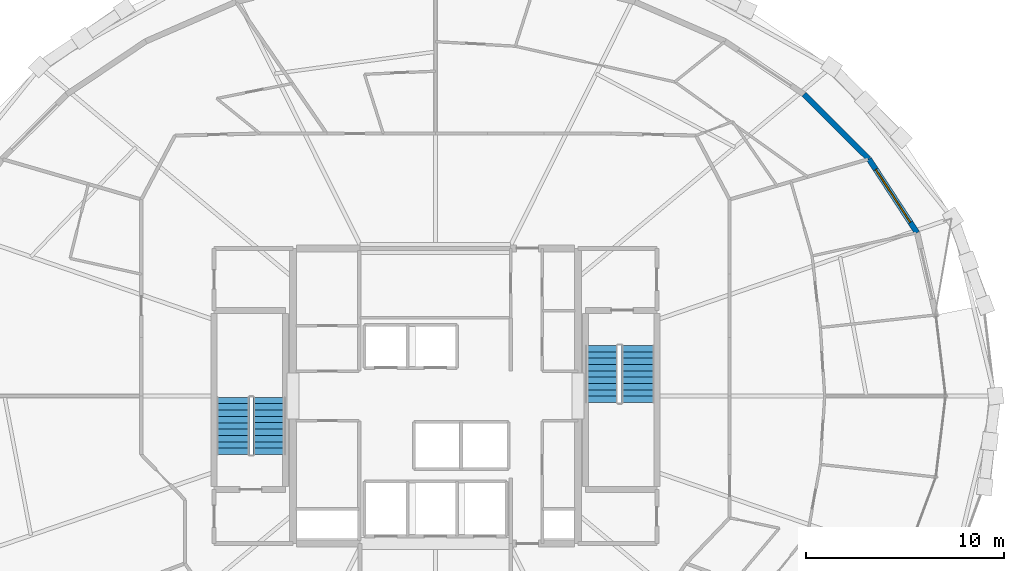
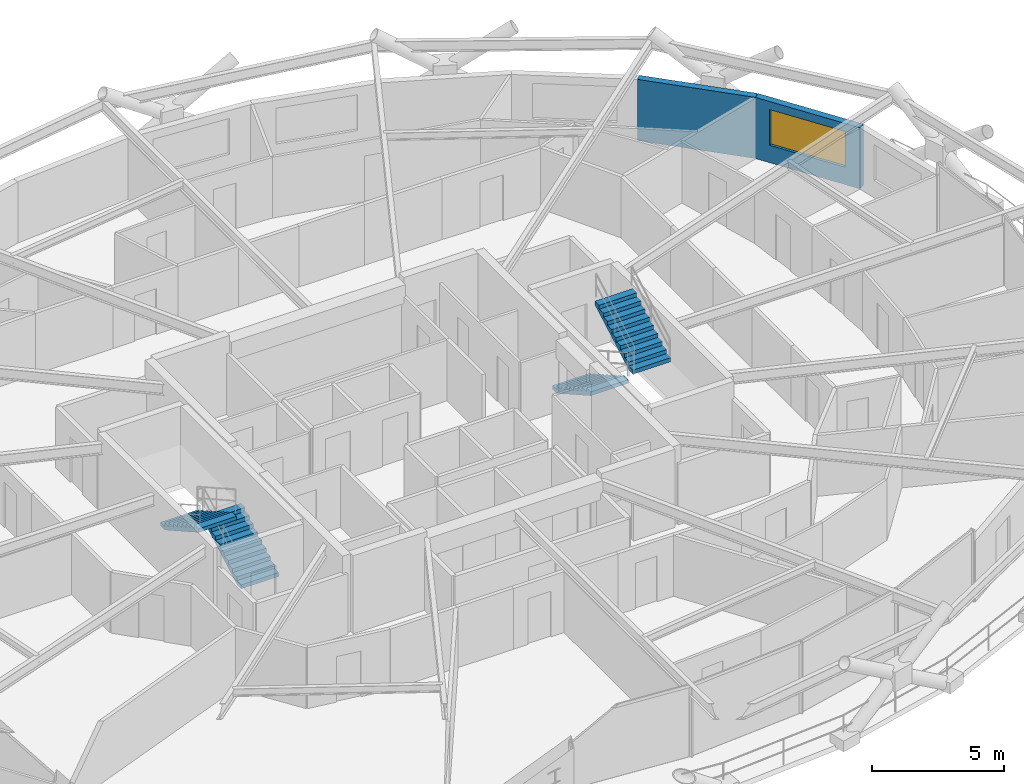
# One storey, part 19 of 20: 4 stair flights, 2 walls, 1 window, 1 opening, 2 elements without a shape of their own.
"""IFC4 building model written with IfcOpenShell, lengths in metres."""

from ifc_helpers import new_model, si_unit, direction, frame, frame_2d, origin, place, context, subcontext, project, spatial, polyline, rectangle, outline, extrude, material, layer, layer_set, type_object, element, fill, aggregate, save


model = new_model("IFC4")

# Units and contexts
model_context = context("Model", 3, precision=1e-05, world=origin(), true_north=direction((0.0, 1.0)))
body_context = subcontext(model_context, "Body", "Model", "MODEL_VIEW")
ifc_project = project(units=[si_unit("LENGTHUNIT", "METRE"), si_unit("AREAUNIT", "SQUARE_METRE"), si_unit("VOLUMEUNIT", "CUBIC_METRE"), si_unit("PLANEANGLEUNIT", "RADIAN"), si_unit("MASSUNIT", "GRAM", prefix="KILO")], contexts=[model_context])

# Site, building, storey
site_placement = place(None, origin())
site = spatial("IfcSite", under=ifc_project, at=site_placement, CompositionType="ELEMENT")
building_placement = place(site_placement, origin())
building = spatial("IfcBuilding", under=site, at=building_placement, Name="Veldorina Hangang Commons", CompositionType="ELEMENT")
storey_placement = place(building_placement, frame((0.0, 0.0, 153.199951171875)))
storey = spatial("IfcBuildingStorey", under=building, at=storey_placement, Name="L39", CompositionType="ELEMENT", Elevation=153.199951171875)

# Wall, opening, window
ifc_material_1 = material(Name="Stone Roman Travertine", Category="masonry")
ifc_layer = layer(ifc_material_1, 0.280029296875)
ifc_layer_set = layer_set([ifc_layer], Name="Stone Roman Travertine")
wall_type = type_object("IfcWallType", Name="EW-TRAV-280", PredefinedType="STANDARD", material=ifc_layer_set)
wall_1_placement = place(storey_placement, frame((56.317138671875, 32.24169921875, 0.0), z_axis=(0.0, 0.0, 1.0), x_axis=(-0.546910623985, 0.837190999338, 0.0)))
wall_1 = element("IfcWall", 1, at=wall_1_placement, inside=storey, type_object=wall_type, Name="L39 travertine facade wall 02", PredefinedType="STANDARD", context=body_context, shape_type="SweptSolid", body=[
    extrude(rectangle(XDim=4.447509765625, YDim=0.280029296875, at=frame_2d((2.2236328125, 0.0))), origin(), (0.0, 0.0, 1.0), 2.820068359375),
])
opening_placement = place(wall_1_placement, frame((0.623779296875, 0.0, 0.800048828125)))
opening = element("IfcOpeningElement", 2, at=opening_placement, cuts=wall_1, Name="Opening W-01", PredefinedType="OPENING", context=body_context, shape_type="SweptSolid", body=[
    extrude(rectangle(XDim=3.199951171875, YDim=1.64990234375, at=frame_2d((1.60009765625, 0.824951171875))), frame((0.0, 0.14990234375, 0.0), z_axis=(0.0, -1.0, 0.0), x_axis=(1.0, 0.0, 0.0)), (0.0, 0.0, 1.0), 0.300048828125),
])
ifc_material_2 = material(Name="Glass Low-E Triple IGU", Category="glass")
window_type = type_object("IfcWindowType", Name="WIN-TWR-3200", PartitioningType="SINGLE_PANEL", PredefinedType="WINDOW", material=ifc_material_2)
window_placement = place(opening_placement, origin())
window = element("IfcWindow", 3, at=window_placement, inside=storey, type_object=window_type, Name="L39 facade window 02", OverallHeight=1.64990234375, OverallWidth=3.199951171875, PartitioningType="SINGLE_PANEL", PredefinedType="WINDOW", context=body_context, shape_type="SweptSolid", body=[
    extrude(rectangle(XDim=3.199951171875, YDim=1.64990234375, at=frame_2d((1.60009765625, 0.824951171875))), frame((0.0, 0.030029296875, 0.0), z_axis=(0.0, -1.0, 0.0), x_axis=(1.0, 0.0, 0.0)), (0.0, 0.0, 1.0), 0.06005859375),
])
fill(opening, window)

# Wall
wall_2_placement = place(storey_placement, frame((53.884765625, 35.965087890625, 0.0), z_axis=(0.0, 0.0, 1.0), x_axis=(-0.708162399008, 0.706049585108, 0.0)))
element("IfcWall", 4, at=wall_2_placement, inside=storey, type_object=wall_type, Name="L39 travertine facade wall 03", PredefinedType="STANDARD", context=body_context, shape_type="SweptSolid", body=[
    extrude(rectangle(XDim=4.6220703125, YDim=0.280029296875, at=frame_2d((2.31103515625, 0.0))), origin(), (0.0, 0.0, 1.0), 2.820068359375),
])

# Stair, stair flights
ifc_material_3 = material(Name="Concrete C40/50", Category="concrete")
stair_type = type_object("IfcStairType", Name="STR-DOG-1650-20R", PredefinedType="HALF_TURN_STAIR", material=ifc_material_3)
stair_1_placement = place(storey_placement, origin())
stair_1 = element("IfcStair", 5, at=stair_1_placement, inside=storey, type_object=stair_type, Name="L39 Exit stair ST-1", PredefinedType="HALF_TURN_STAIR")
stair_flight_type = type_object("IfcStairFlightType", Name="SFL-STR-1650-20R", PredefinedType="STRAIGHT", material=ifc_material_3)
stair_flight_1_placement = place(storey_placement, frame((23.625, 21.050048828125, 0.0), z_axis=(0.0, 0.0, 1.0), x_axis=(0.0, 1.0, 0.0)))
stair_flight_1 = element("IfcStairFlight", 6, at=stair_flight_1_placement, type_object=stair_flight_type, Name="ST-1 flight 1", NumberOfRisers=10, NumberOfTreads=9, PredefinedType="STRAIGHT", RiserHeight=0.18, TreadLength=0.32, context=body_context, shape_type="SweptSolid", body=[
    extrude(outline(polyline([(0.0, 0.0), (0.0, 0.179931640625), (0.320068359375, 0.179931640625), (0.320068359375, 0.360107421875), (0.639892578125, 0.360107421875), (0.639892578125, 0.5400390625), (0.9599609375, 0.5400390625), (0.9599609375, 0.719970703125), (1.280029296875, 0.719970703125), (1.280029296875, 0.89990234375), (1.60009765625, 0.89990234375), (1.60009765625, 1.080078125), (1.919921875, 1.080078125), (1.919921875, 1.260009765625), (2.239990234375, 1.260009765625), (2.239990234375, 1.43994140625), (2.56005859375, 1.43994140625), (2.56005859375, 1.6201171875), (2.8798828125, 1.6201171875), (2.8798828125, 1.800048828125), (2.8798828125, 1.447998046875), (0.3056640625, 0.0), (0.0, 0.0)])), frame((0.0, 0.824951171875, 0.0), z_axis=(0.0, -1.0, 0.0), x_axis=(1.0, 0.0, 0.0)), (0.0, 0.0, 1.0), 1.64990234375),
])
stair_flight_2_placement = place(storey_placement, frame((21.77490234375, 23.929931640625, 1.800048828125), z_axis=(0.0, 0.0, 1.0), x_axis=(0.0, -1.0, 0.0)))
stair_flight_2 = element("IfcStairFlight", 7, at=stair_flight_2_placement, type_object=stair_flight_type, Name="ST-1 flight 2", NumberOfRisers=10, NumberOfTreads=9, PredefinedType="STRAIGHT", RiserHeight=0.18, TreadLength=0.32, context=body_context, shape_type="SweptSolid", body=[
    extrude(outline(polyline([(0.0, 0.0), (0.0, 0.179931640625), (0.320068359375, 0.179931640625), (0.320068359375, 0.360107421875), (0.639892578125, 0.360107421875), (0.639892578125, 0.5400390625), (0.9599609375, 0.5400390625), (0.9599609375, 0.719970703125), (1.280029296875, 0.719970703125), (1.280029296875, 0.89990234375), (1.60009765625, 0.89990234375), (1.60009765625, 1.080078125), (1.919921875, 1.080078125), (1.919921875, 1.260009765625), (2.239990234375, 1.260009765625), (2.239990234375, 1.43994140625), (2.56005859375, 1.43994140625), (2.56005859375, 1.6201171875), (2.8798828125, 1.6201171875), (2.8798828125, 1.800048828125), (2.8798828125, 1.447998046875), (0.3056640625, 0.0), (0.0, 0.0)])), frame((0.0, 0.824951171875, 0.0), z_axis=(0.0, -1.0, 0.0), x_axis=(1.0, 0.0, 0.0)), (0.0, 0.0, 1.0), 1.64990234375),
])
aggregate(stair_1, [stair_flight_1, stair_flight_2])

stair_2_placement = place(storey_placement, origin())
stair_2 = element("IfcStair", 8, at=stair_2_placement, inside=storey, type_object=stair_type, Name="L39 Exit stair ST-2", PredefinedType="HALF_TURN_STAIR")
stair_flight_3_placement = place(storey_placement, frame((40.375, 26.550048828125, 0.0), z_axis=(0.0, 0.0, 1.0), x_axis=(0.0, -1.0, 0.0)))
stair_flight_3 = element("IfcStairFlight", 9, at=stair_flight_3_placement, type_object=stair_flight_type, Name="ST-2 flight 1", NumberOfRisers=10, NumberOfTreads=9, PredefinedType="STRAIGHT", RiserHeight=0.18, TreadLength=0.32, context=body_context, shape_type="SweptSolid", body=[
    extrude(outline(polyline([(0.0, 0.0), (0.0, 0.179931640625), (0.320068359375, 0.179931640625), (0.320068359375, 0.360107421875), (0.639892578125, 0.360107421875), (0.639892578125, 0.5400390625), (0.9599609375, 0.5400390625), (0.9599609375, 0.719970703125), (1.280029296875, 0.719970703125), (1.280029296875, 0.89990234375), (1.60009765625, 0.89990234375), (1.60009765625, 1.080078125), (1.919921875, 1.080078125), (1.919921875, 1.260009765625), (2.239990234375, 1.260009765625), (2.239990234375, 1.43994140625), (2.56005859375, 1.43994140625), (2.56005859375, 1.6201171875), (2.8798828125, 1.6201171875), (2.8798828125, 1.800048828125), (2.8798828125, 1.447998046875), (0.3056640625, 0.0), (0.0, 0.0)])), frame((0.0, 0.824951171875, 0.0), z_axis=(0.0, -1.0, 0.0), x_axis=(1.0, 0.0, 0.0)), (0.0, 0.0, 1.0), 1.64990234375),
])
stair_flight_4_placement = place(storey_placement, frame((42.22509765625, 23.669921875, 1.800048828125), z_axis=(0.0, 0.0, 1.0), x_axis=(0.0, 1.0, 0.0)))
stair_flight_4 = element("IfcStairFlight", 10, at=stair_flight_4_placement, type_object=stair_flight_type, Name="ST-2 flight 2", NumberOfRisers=10, NumberOfTreads=9, PredefinedType="STRAIGHT", RiserHeight=0.18, TreadLength=0.32, context=body_context, shape_type="SweptSolid", body=[
    extrude(outline(polyline([(0.0, 0.0), (0.0, 0.179931640625), (0.320068359375, 0.179931640625), (0.320068359375, 0.360107421875), (0.639892578125, 0.360107421875), (0.639892578125, 0.5400390625), (0.9599609375, 0.5400390625), (0.9599609375, 0.719970703125), (1.280029296875, 0.719970703125), (1.280029296875, 0.89990234375), (1.60009765625, 0.89990234375), (1.60009765625, 1.080078125), (1.919921875, 1.080078125), (1.919921875, 1.260009765625), (2.239990234375, 1.260009765625), (2.239990234375, 1.43994140625), (2.56005859375, 1.43994140625), (2.56005859375, 1.6201171875), (2.8798828125, 1.6201171875), (2.8798828125, 1.800048828125), (2.8798828125, 1.447998046875), (0.3056640625, 0.0), (0.0, 0.0)])), frame((0.0, 0.824951171875, 0.0), z_axis=(0.0, -1.0, 0.0), x_axis=(1.0, 0.0, 0.0)), (0.0, 0.0, 1.0), 1.64990234375),
])
aggregate(stair_2, [stair_flight_3, stair_flight_4])

save(model, "model.ifc")
